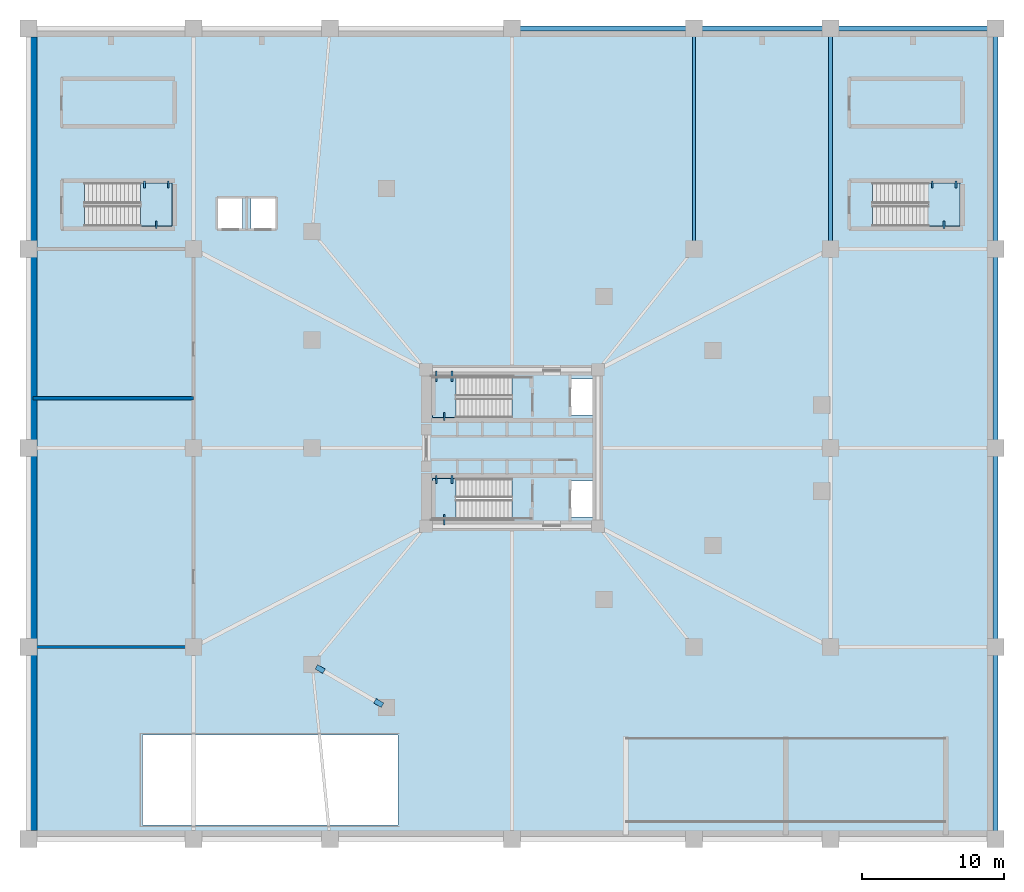
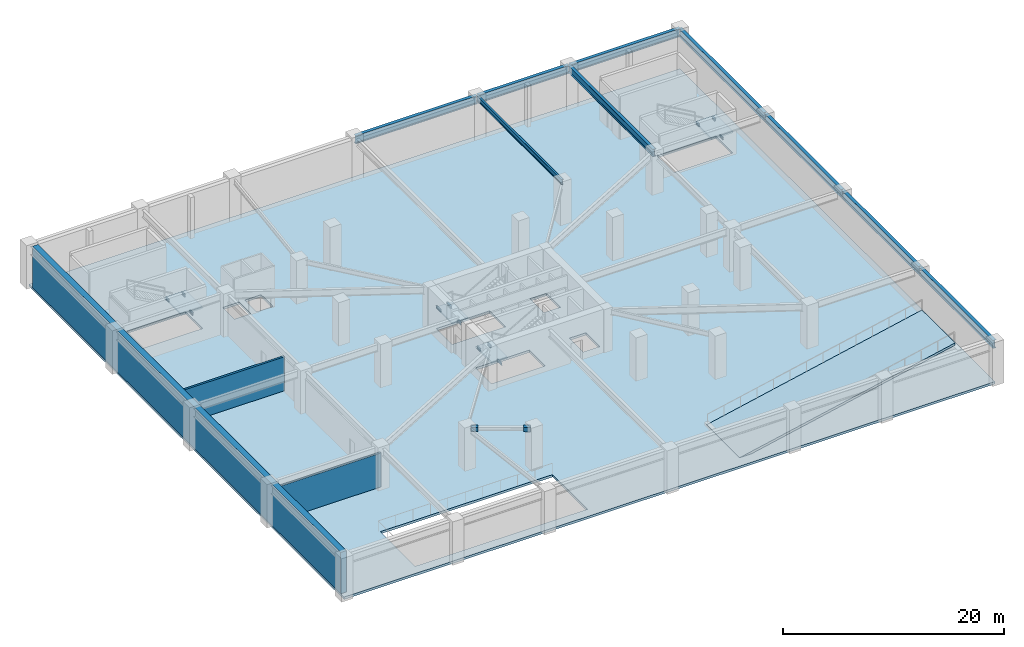
# One storey, part 2 of 13: 21 beams, 6 slabs, 3 walls, 2 plates, 4 elements without a shape of their own.
"""IFC4 building model written with IfcOpenShell, lengths in metres."""

from ifc_helpers import new_model, si_unit, direction, frame, frame_2d, origin, origin_2d, place, context, subcontext, project, spatial, polyline, rectangle, i_section, outline, extrude, source, transform, mapped, material, layer, layer_set, material_profile, profile_set, type_object, element, aggregate, save


model = new_model("IFC4")

# Units and contexts
model_context = context("Model", 3, precision=1e-05, world=origin(), true_north=direction((0.0, 1.0)))
body_context = subcontext(model_context, "Body", "Model", "MODEL_VIEW")
ifc_project = project(units=[si_unit("LENGTHUNIT", "METRE"), si_unit("AREAUNIT", "SQUARE_METRE"), si_unit("VOLUMEUNIT", "CUBIC_METRE"), si_unit("PLANEANGLEUNIT", "RADIAN"), si_unit("MASSUNIT", "GRAM", prefix="KILO")], contexts=[model_context])

# Site, building, storey
site_placement = place(None, origin())
site = spatial("IfcSite", under=ifc_project, at=site_placement, CompositionType="ELEMENT")
building_placement = place(site_placement, origin())
building = spatial("IfcBuilding", under=site, at=building_placement, Name="Yunling Apex Tower", CompositionType="ELEMENT")
storey_placement = place(building_placement, frame((0.0, 0.0, -4.800048828125)))
storey = spatial("IfcBuildingStorey", under=building, at=storey_placement, Name="B01", CompositionType="ELEMENT", Elevation=-4.800048828125)

# Beams
ifc_material_1 = material(Name="Steel Q355B", Category="steel")
ifc_material_profile_1 = material_profile(ifc_material_1, i_section(OverallWidth=0.125, OverallDepth=0.25, WebThickness=0.006103515625, FlangeThickness=0.009033203125, FilletRadius=0.011962890625, at=origin_2d()))
ifc_profile_set_1 = profile_set([ifc_material_profile_1], Name="Steel Q355B")
beam_type_1 = type_object("IfcBeamType", Name="BL-LNT-1", PredefinedType="LINTEL", material=ifc_profile_set_1)
shared_shape_1 = source(origin(), body_context, "Body", "SweptSolid", [
    extrude(i_section(OverallWidth=0.125, OverallDepth=0.25, WebThickness=0.006103515625, FlangeThickness=0.009033203125, FilletRadius=0.011962890625, at=origin_2d()), origin(), (0.0, 0.0, 1.0), 0.760009765625),
])
for number, where, z_axis, x_axis, name in (
    (1, (-5.320068359375, 5.419921875, 2.080078125), (0.0, -1.0, 0.0), (1.0, 0.0, 0.0), "B01 ST-1 Landing Bearing Corbel 1-1"),
    (2, (-4.2099609375, 5.419921875, 2.080078125), (0.0, -1.0, 0.0), (1.0, 0.0, 0.0), "B01 ST-1 Landing Bearing Corbel 1-2"),
    (3, (-4.764892578125, -5.419921875, 2.080078125), (0.0, 1.0, 0.0), (-1.0, 0.0, 0.0), "B01 ST-2 Landing Bearing Corbel 1-3"),
):
    element("IfcBeam", number, at=place(storey_placement, frame(where, z_axis=z_axis, x_axis=x_axis)), inside=storey, type_object=beam_type_1, Name=name, PredefinedType="LINTEL", context=body_context, shape_type="MappedRepresentation", body=[
        mapped(shared_shape_1, transform((0.0, 0.0, 0.0), scale=1.0)),
    ])
shared_shape_2 = source(origin(), body_context, "Body", "SweptSolid", [
    extrude(i_section(OverallWidth=0.125, OverallDepth=0.25, WebThickness=0.006103515625, FlangeThickness=0.009033203125, FilletRadius=0.011962890625, at=origin_2d()), origin(), (0.0, 0.0, 1.0), 0.550048828125),
])
for number, where, z_axis, x_axis, name in (
    (4, (-4.764892578125, 1.93994140625, 2.080078125), (0.0, 1.0, 0.0), (-1.0, 0.0, 0.0), "B01 ST-1 Landing Bearing Corbel 1-3"),
    (5, (-5.320068359375, -1.93994140625, 2.080078125), (0.0, -1.0, 0.0), (1.0, 0.0, 0.0), "B01 ST-2 Landing Bearing Corbel 1-1"),
    (6, (-4.2099609375, -1.93994140625, 2.080078125), (0.0, -1.0, 0.0), (1.0, 0.0, 0.0), "B01 ST-2 Landing Bearing Corbel 1-2"),
):
    element("IfcBeam", number, at=place(storey_placement, frame(where, z_axis=z_axis, x_axis=x_axis)), inside=storey, type_object=beam_type_1, Name=name, PredefinedType="LINTEL", context=body_context, shape_type="MappedRepresentation", body=[
        mapped(shared_shape_2, transform((0.0, 0.0, 0.0), scale=1.0)),
    ])
shared_shape_3 = source(origin(), body_context, "Body", "SweptSolid", [
    extrude(i_section(OverallWidth=0.125, OverallDepth=0.25, WebThickness=0.006103515625, FlangeThickness=0.009033203125, FilletRadius=0.011962890625, at=origin_2d()), origin(), (0.0, 0.0, 1.0), 0.47998046875),
])
for number, where, z_axis, x_axis, name in (
    (7, (-25.85009765625, 18.780029296875, 2.080078125), (0.0, -1.0, 0.0), (1.0, 0.0, 0.0), "B01 ST-P1 Landing Bearing Corbel 1-1"),
    (8, (-24.179931640625, 18.780029296875, 2.080078125), (0.0, -1.0, 0.0), (1.0, 0.0, 0.0), "B01 ST-P1 Landing Bearing Corbel 1-2"),
    (9, (29.550048828125, 18.780029296875, 2.080078125), (0.0, -1.0, 0.0), (1.0, 0.0, 0.0), "B01 ST-P2 Landing Bearing Corbel 1-1"),
    (10, (31.219970703125, 18.780029296875, 2.080078125), (0.0, -1.0, 0.0), (1.0, 0.0, 0.0), "B01 ST-P2 Landing Bearing Corbel 1-2"),
):
    element("IfcBeam", number, at=place(storey_placement, frame(where, z_axis=z_axis, x_axis=x_axis)), inside=storey, type_object=beam_type_1, Name=name, PredefinedType="LINTEL", context=body_context, shape_type="MappedRepresentation", body=[
        mapped(shared_shape_3, transform((0.0, 0.0, 0.0), scale=1.0)),
    ])
shared_shape_4 = source(origin(), body_context, "Body", "SweptSolid", [
    extrude(i_section(OverallWidth=0.125, OverallDepth=0.25, WebThickness=0.006103515625, FlangeThickness=0.009033203125, FilletRadius=0.011962890625, at=origin_2d()), origin(), (0.0, 0.0, 1.0), 0.530029296875),
])
for number, where, z_axis, x_axis, name in (
    (11, (-25.014892578125, 15.419921875, 2.080078125), (0.0, 1.0, 0.0), (-1.0, 0.0, 0.0), "B01 ST-P1 Landing Bearing Corbel 1-3"),
    (12, (30.385009765625, 15.419921875, 2.080078125), (0.0, 1.0, 0.0), (-1.0, 0.0, 0.0), "B01 ST-P2 Landing Bearing Corbel 1-3"),
):
    element("IfcBeam", number, at=place(storey_placement, frame(where, z_axis=z_axis, x_axis=x_axis)), inside=storey, type_object=beam_type_1, Name=name, PredefinedType="LINTEL", context=body_context, shape_type="MappedRepresentation", body=[
        mapped(shared_shape_4, transform((0.0, 0.0, 0.0), scale=1.0)),
    ])
ifc_material_profile_2 = material_profile(ifc_material_1, i_section(OverallWidth=0.35009765625, OverallDepth=0.89990234375, WebThickness=0.01806640625, FlangeThickness=0.028076171875, FilletRadius=0.02392578125, at=origin_2d()))
ifc_profile_set_2 = profile_set([ifc_material_profile_2], Name="Steel Q355B")
beam_type_2 = type_object("IfcBeamType", Name="BG-PRI-1", PredefinedType="USERDEFINED", material=ifc_profile_set_2)
shared_shape_5 = source(origin(), body_context, "Body", "SweptSolid", [
    extrude(i_section(OverallWidth=0.35009765625, OverallDepth=0.89990234375, WebThickness=0.01806640625, FlangeThickness=0.028076171875, FilletRadius=0.02392578125, at=origin_2d()), origin(), (0.0, 0.0, 1.0), 11.52001953125),
])
beam_1_placement = place(storey_placement, frame((22.43994140625, 29.5, 4.110107421875), z_axis=(1.0, 0.0, 0.0), x_axis=(0.0, 1.0, 0.0)))
element("IfcBeam", 13, at=beam_1_placement, inside=storey, type_object=beam_type_2, Name="B01 Podium Edge Girder 12", ObjectType="GIRDER", PredefinedType="USERDEFINED", context=body_context, shape_type="MappedRepresentation", body=[
    mapped(shared_shape_5, transform((0.0, 0.0, 0.0), scale=1.0)),
])
shared_shape_6 = source(origin(), body_context, "Body", "SweptSolid", [
    extrude(i_section(OverallWidth=0.35009765625, OverallDepth=0.89990234375, WebThickness=0.01806640625, FlangeThickness=0.028076171875, FilletRadius=0.02392578125, at=origin_2d()), origin(), (0.0, 0.0, 1.0), 9.52001953125),
])
beam_2_placement = place(storey_placement, frame((12.840087890625, 29.5, 4.110107421875), z_axis=(1.0, 0.0, 0.0), x_axis=(0.0, 1.0, 0.0)))
element("IfcBeam", 14, at=beam_2_placement, inside=storey, type_object=beam_type_2, Name="B01 Podium Edge Girder 11", ObjectType="GIRDER", PredefinedType="USERDEFINED", context=body_context, shape_type="MappedRepresentation", body=[
    mapped(shared_shape_6, transform((0.0, 0.0, 0.0), scale=1.0)),
])
shared_shape_7 = source(origin(), body_context, "Body", "SweptSolid", [
    extrude(i_section(OverallWidth=0.35009765625, OverallDepth=0.89990234375, WebThickness=0.01806640625, FlangeThickness=0.028076171875, FilletRadius=0.02392578125, at=origin_2d()), origin(), (0.0, 0.0, 1.0), 12.719970703125),
])
beam_3_placement = place(storey_placement, frame((0.0400390625, 29.5, 4.110107421875), z_axis=(1.0, 0.0, 0.0), x_axis=(0.0, 1.0, 0.0)))
element("IfcBeam", 15, at=beam_3_placement, inside=storey, type_object=beam_type_2, Name="B01 Podium Edge Girder 10", ObjectType="GIRDER", PredefinedType="USERDEFINED", context=body_context, shape_type="MappedRepresentation", body=[
    mapped(shared_shape_7, transform((0.0, 0.0, 0.0), scale=1.0)),
])
shared_shape_8 = source(origin(), body_context, "Body", "SweptSolid", [
    extrude(i_section(OverallWidth=0.35009765625, OverallDepth=0.89990234375, WebThickness=0.01806640625, FlangeThickness=0.028076171875, FilletRadius=0.02392578125, at=origin_2d()), origin(), (0.0, 0.0, 1.0), 13.419921875),
])
beam_4_placement = place(storey_placement, frame((34.0, -27.4599609375, 4.110107421875), z_axis=(0.0, 1.0, 0.0), x_axis=(-1.0, 0.0, 0.0)))
element("IfcBeam", 16, at=beam_4_placement, inside=storey, type_object=beam_type_2, Name="B01 Podium Side Girder 17", ObjectType="GIRDER", PredefinedType="USERDEFINED", context=body_context, shape_type="MappedRepresentation", body=[
    mapped(shared_shape_8, transform((0.0, 0.0, 0.0), scale=1.0)),
])
shared_shape_9 = source(origin(), body_context, "Body", "SweptSolid", [
    extrude(i_section(OverallWidth=0.35009765625, OverallDepth=0.89990234375, WebThickness=0.01806640625, FlangeThickness=0.028076171875, FilletRadius=0.02392578125, at=origin_2d()), origin(), (0.0, 0.0, 1.0), 13.919921875),
])
for number, where, z_axis, x_axis, name in (
    (17, (34.0, -13.9599609375, 4.110107421875), (0.0, 1.0, 0.0), (-1.0, 0.0, 0.0), "B01 Podium Side Girder 18"),
    (18, (34.0, 0.0400390625, 4.110107421875), (0.0, 1.0, 0.0), (-1.0, 0.0, 0.0), "B01 Podium Side Girder 19"),
):
    element("IfcBeam", number, at=place(storey_placement, frame(where, z_axis=z_axis, x_axis=x_axis)), inside=storey, type_object=beam_type_2, Name=name, ObjectType="GIRDER", PredefinedType="USERDEFINED", context=body_context, shape_type="MappedRepresentation", body=[
        mapped(shared_shape_9, transform((0.0, 0.0, 0.0), scale=1.0)),
    ])
shared_shape_10 = source(origin(), body_context, "Body", "SweptSolid", [
    extrude(i_section(OverallWidth=0.35009765625, OverallDepth=0.89990234375, WebThickness=0.01806640625, FlangeThickness=0.028076171875, FilletRadius=0.02392578125, at=origin_2d()), origin(), (0.0, 0.0, 1.0), 15.419921875),
])
beam_5_placement = place(storey_placement, frame((34.0, 14.0400390625, 4.110107421875), z_axis=(0.0, 1.0, 0.0), x_axis=(-1.0, 0.0, 0.0)))
element("IfcBeam", 19, at=beam_5_placement, inside=storey, type_object=beam_type_2, Name="B01 Podium Side Girder 20", ObjectType="GIRDER", PredefinedType="USERDEFINED", context=body_context, shape_type="MappedRepresentation", body=[
    mapped(shared_shape_10, transform((0.0, 0.0, 0.0), scale=1.0)),
])
ifc_material_profile_3 = material_profile(ifc_material_1, i_section(OverallWidth=0.300048828125, OverallDepth=0.800048828125, WebThickness=0.013916015625, FlangeThickness=0.02587890625, FilletRadius=0.028076171875, at=origin_2d()))
ifc_profile_set_3 = profile_set([ifc_material_profile_3], Name="Steel Q355B")
beam_type_3 = type_object("IfcBeamType", Name="BG-PRI-2", PredefinedType="USERDEFINED", material=ifc_profile_set_3)
shared_shape_11 = source(origin(), body_context, "Body", "SweptSolid", [
    extrude(i_section(OverallWidth=0.300048828125, OverallDepth=0.800048828125, WebThickness=0.013916015625, FlangeThickness=0.02587890625, FilletRadius=0.028076171875, at=origin_2d()), origin(), (0.0, 0.0, 1.0), 15.419921875),
])
beam_6_placement = place(storey_placement, frame((22.39990234375, 29.4599609375, 4.16015625), z_axis=(0.0, -1.0, 0.0), x_axis=(1.0, 0.0, 0.0)))
element("IfcBeam", 20, at=beam_6_placement, inside=storey, type_object=beam_type_3, Name="B01 Podium Primary Girder 17", ObjectType="GIRDER", PredefinedType="USERDEFINED", context=body_context, shape_type="MappedRepresentation", body=[
    mapped(shared_shape_11, transform((0.0, 0.0, 0.0), scale=1.0)),
])
ifc_material_profile_4 = material_profile(ifc_material_1, i_section(OverallWidth=0.199951171875, OverallDepth=0.550048828125, WebThickness=0.010009765625, FlangeThickness=0.01611328125, FilletRadius=0.02001953125, at=origin_2d()))
ifc_profile_set_4 = profile_set([ifc_material_profile_4], Name="Steel Q355B")
beam_type_4 = type_object("IfcBeamType", Name="BS-SEC-1", PredefinedType="BEAM", material=ifc_profile_set_4)
shared_shape_12 = source(origin(), body_context, "Body", "SweptSolid", [
    extrude(i_section(OverallWidth=0.199951171875, OverallDepth=0.550048828125, WebThickness=0.010009765625, FlangeThickness=0.01611328125, FilletRadius=0.02001953125, at=origin_2d()), origin(), (0.0, 0.0, 1.0), 15.419921875),
])
beam_7_placement = place(storey_placement, frame((12.800048828125, 29.4599609375, 4.28515625), z_axis=(0.0, -1.0, 0.0), x_axis=(1.0, 0.0, 0.0)))
element("IfcBeam", 21, at=beam_7_placement, inside=storey, type_object=beam_type_4, Name="B01 Podium Secondary Beam 3", PredefinedType="BEAM", context=body_context, shape_type="MappedRepresentation", body=[
    mapped(shared_shape_12, transform((0.0, 0.0, 0.0), scale=1.0)),
])

# Slab
ifc_material_2 = material(Name="Concrete C40", Category="concrete")
ifc_layer_1 = layer(ifc_material_2, 0.260009765625)
ifc_layer_set_1 = layer_set([ifc_layer_1], Name="Concrete C40")
slab_type_1 = type_object("IfcSlabType", Name="SL-BSM-2", PredefinedType="FLOOR", material=ifc_layer_set_1)
slab_1_placement = place(storey_placement, frame((0.0, 0.0, -0.260009765625)))
element("IfcSlab", 22, at=slab_1_placement, inside=storey, type_object=slab_type_1, Name="B01 Structural Floor Slab", PredefinedType="FLOOR", context=body_context, shape_type="SweptSolid", body=[
    extrude(outline(polyline([(-34.0, -27.5), (34.0, -27.5), (34.0, 29.5), (-34.0, 29.5), (-34.0, -27.5)]), holes=[polyline([(31.5, 18.64990234375), (31.5, 15.60009765625), (25.35009765625, 15.60009765625), (25.35009765625, 18.64990234375), (31.5, 18.64990234375)]), polyline([(4.090087890625, -2.320068359375), (5.81005859375, -2.320068359375), (5.81005859375, -4.840087890625), (4.090087890625, -4.840087890625), (4.090087890625, -2.320068359375)]), polyline([(4.090087890625, 4.840087890625), (5.81005859375, 4.840087890625), (5.81005859375, 2.320068359375), (4.090087890625, 2.320068359375), (4.090087890625, 4.840087890625)]), polyline([(-0.010009765625, -5.010009765625), (-5.60009765625, -5.010009765625), (-5.60009765625, -2.139892578125), (-0.010009765625, -2.139892578125), (-0.010009765625, -5.010009765625)]), polyline([(-0.010009765625, 2.139892578125), (-5.60009765625, 2.139892578125), (-5.60009765625, 5.010009765625), (-0.010009765625, 5.010009765625), (-0.010009765625, 2.139892578125)]), polyline([(-26.0, -20.199951171875), (-8.0, -20.199951171875), (-8.0, -26.5), (-26.0, -26.5), (-26.0, -20.199951171875)]), polyline([(-18.360107421875, 17.56005859375), (-16.639892578125, 17.56005859375), (-16.639892578125, 15.43994140625), (-18.360107421875, 15.43994140625), (-18.360107421875, 17.56005859375)]), polyline([(-20.659912109375, 17.56005859375), (-18.93994140625, 17.56005859375), (-18.93994140625, 15.43994140625), (-20.659912109375, 15.43994140625), (-20.659912109375, 17.56005859375)]), polyline([(-23.89990234375, 18.64990234375), (-23.89990234375, 15.60009765625), (-30.050048828125, 15.60009765625), (-30.050048828125, 18.64990234375), (-23.89990234375, 18.64990234375)])]), origin(), (0.0, 0.0, 1.0), 0.260009765625),
])

# Stair, slab
stair_type_1 = type_object("IfcStairType", Name="ST-TWR-1", PredefinedType="HALF_TURN_STAIR", material=ifc_material_2)
stair_1_placement = place(storey_placement, origin())
stair_1 = element("IfcStair", 23, at=stair_1_placement, inside=storey, type_object=stair_type_1, Name="B01 North Core Smokeproof Exit Stair ST-1", PredefinedType="HALF_TURN_STAIR")
ifc_layer_2 = layer(ifc_material_2, 0.195068359375)
ifc_layer_set_2 = layer_set([ifc_layer_2], Name="Concrete C40")
slab_type_2 = type_object("IfcSlabType", Name="SL-LND-1", PredefinedType="LANDING", material=ifc_layer_set_2)
slab_2_placement = place(storey_placement, frame((0.0, 0.0, 2.205078125)))
slab_2 = element("IfcSlab", 24, at=slab_2_placement, type_object=slab_type_2, Name="ST-1 landing 1", PredefinedType="LANDING", context=body_context, shape_type="SweptSolid", body=[
    extrude(outline(polyline([(-3.929931640625, 5.010009765625), (-5.60009765625, 5.010009765625), (-5.60009765625, 2.139892578125), (-3.929931640625, 2.139892578125), (-3.929931640625, 5.010009765625)])), origin(), (0.0, 0.0, 1.0), 0.195068359375),
])
aggregate(stair_1, [slab_2])

stair_2_placement = place(storey_placement, origin())
stair_2 = element("IfcStair", 25, at=stair_2_placement, inside=storey, type_object=stair_type_1, Name="B01 South Core Smokeproof Exit Stair ST-2", PredefinedType="HALF_TURN_STAIR")
slab_3_placement = place(storey_placement, frame((0.0, 0.0, 2.205078125)))
slab_3 = element("IfcSlab", 26, at=slab_3_placement, type_object=slab_type_2, Name="ST-2 landing 1", PredefinedType="LANDING", context=body_context, shape_type="SweptSolid", body=[
    extrude(outline(polyline([(-3.929931640625, -2.139892578125), (-5.60009765625, -2.139892578125), (-5.60009765625, -5.010009765625), (-3.929931640625, -5.010009765625), (-3.929931640625, -2.139892578125)])), origin(), (0.0, 0.0, 1.0), 0.195068359375),
])
aggregate(stair_2, [slab_3])

stair_type_2 = type_object("IfcStairType", Name="ST-POD-1", PredefinedType="HALF_TURN_STAIR", material=ifc_material_2)
stair_3_placement = place(storey_placement, origin())
stair_3 = element("IfcStair", 27, at=stair_3_placement, inside=storey, type_object=stair_type_2, Name="B01 West Podium Smokeproof Stair ST-P1", PredefinedType="HALF_TURN_STAIR")
slab_4_placement = place(storey_placement, frame((0.0, 0.0, 2.205078125)))
slab_4 = element("IfcSlab", 28, at=slab_4_placement, type_object=slab_type_2, Name="ST-P1 landing 1", PredefinedType="LANDING", context=body_context, shape_type="SweptSolid", body=[
    extrude(outline(polyline([(-26.1298828125, 15.60009765625), (-23.89990234375, 15.60009765625), (-23.89990234375, 18.64990234375), (-26.1298828125, 18.64990234375), (-26.1298828125, 15.60009765625)])), origin(), (0.0, 0.0, 1.0), 0.195068359375),
])
aggregate(stair_3, [slab_4])

stair_4_placement = place(storey_placement, origin())
stair_4 = element("IfcStair", 29, at=stair_4_placement, inside=storey, type_object=stair_type_2, Name="B01 East Podium Smokeproof Stair ST-P2", PredefinedType="HALF_TURN_STAIR")
slab_5_placement = place(storey_placement, frame((0.0, 0.0, 2.205078125)))
slab_5 = element("IfcSlab", 30, at=slab_5_placement, type_object=slab_type_2, Name="ST-P2 landing 1", PredefinedType="LANDING", context=body_context, shape_type="SweptSolid", body=[
    extrude(outline(polyline([(29.27001953125, 15.60009765625), (31.5, 15.60009765625), (31.5, 18.64990234375), (29.27001953125, 18.64990234375), (29.27001953125, 15.60009765625)])), origin(), (0.0, 0.0, 1.0), 0.195068359375),
])
aggregate(stair_4, [slab_5])

# Slab
ifc_layer_3 = layer(ifc_material_2, 0.25)
ifc_layer_set_3 = layer_set([ifc_layer_3], Name="Concrete C40")
slab_type_3 = type_object("IfcSlabType", Name="SL-VRMP-1", PredefinedType="FLOOR", material=ifc_layer_set_3)
slab_6_placement = place(storey_placement, frame((7.998046875, -26.35009765625, 0.0), z_axis=(-0.208605861862, 0.0, 0.977999792636), x_axis=(0.977999792636, 0.0, 0.208605861862)))
element("IfcSlab", 31, at=slab_6_placement, inside=storey, type_object=slab_type_3, Name="B01 to L01 Two-Way Structural Vehicle Ramp Slab", PredefinedType="FLOOR", context=body_context, shape_type="SweptSolid", body=[
    extrude(outline(polyline([(0.0, 0.0), (23.01013396877935, 0.0), (23.01013396877935, 6.0), (0.0, 6.0), (0.0, 0.0)])), origin(), (-0.208605861862, 0.0, -0.977999792636), 0.255615234375),
])

# Plates
ifc_layer_4 = layer(ifc_material_1, 0.031982421875)
ifc_layer_set_4 = layer_set([ifc_layer_4], Name="Steel Q355B")
plate_type = type_object("IfcPlateType", Name="NP-GUS-2", PredefinedType="USERDEFINED", material=ifc_layer_set_4)
shared_shape_13 = source(origin(), body_context, "Body", "SweptSolid", [
    extrude(rectangle(XDim=0.6201171875, YDim=0.360107421875, at=origin_2d()), origin(), (0.0, 0.0, 1.0), 0.47998046875),
])
for number, where, z_axis, x_axis, name in (
    (32, (-13.48779296875, -15.546142578125, 3.969970703125), (0.0, 0.0, 1.0), (0.864976307593, -0.501812701416, 0.0), "B01 Atrium Tie Strut End Gusset Plate 444"),
    (33, (-9.372314453125, -17.933837890625, 3.969970703125), (0.0, 0.0, 1.0), (0.864976307593, -0.501812701416, 0.0), "B01 Atrium Tie Strut End Gusset Plate 445"),
):
    element("IfcPlate", number, at=place(storey_placement, frame(where, z_axis=z_axis, x_axis=x_axis)), inside=storey, type_object=plate_type, Name=name, ObjectType="GUSSET_PLATE", PredefinedType="USERDEFINED", context=body_context, shape_type="MappedRepresentation", body=[
        mapped(shared_shape_13, transform((0.0, 0.0, 0.0), scale=1.0)),
    ])

# Walls
ifc_material_3 = material(Name="Concrete C50", Category="concrete")
ifc_layer_5 = layer(ifc_material_3, 0.60009765625)
ifc_layer_set_5 = layer_set([ifc_layer_5], Name="Concrete C50")
wall_type_1 = type_object("IfcWallType", Name="WL-BSM-2", PredefinedType="USERDEFINED", material=ifc_layer_set_5)
wall_placement = place(storey_placement, frame((-33.699951171875, -26.89990234375, 0.0), z_axis=(0.0, 0.0, 1.0), x_axis=(0.0, 1.0, 0.0)))
element("IfcWall", 34, at=wall_placement, inside=storey, type_object=wall_type_1, Name="B01 West Retaining Wall", ObjectType="RETAININGWALL", PredefinedType="USERDEFINED", context=body_context, shape_type="SweptSolid", body=[
    extrude(rectangle(XDim=55.7998046875, YDim=0.60009765625, at=frame_2d((27.89990234375, 0.0))), origin(), (0.0, 0.0, 1.0), 4.56005859375),
])
ifc_material_4 = material(Name="Autoclaved aerated concrete masonry", Category="masonry")
ifc_layer_6 = layer(ifc_material_4, 0.219970703125)
ifc_layer_set_6 = layer_set([ifc_layer_6], Name="Autoclaved aerated concrete masonry")
wall_type_2 = type_object("IfcWallType", Name="WL-SHF-1", PredefinedType="PLUMBINGWALL", material=ifc_layer_set_6)
for number, where, z_axis, x_axis, name in (
    (35, (-33.699951171875, -14.0, 0.0), (0.0, 0.0, 1.0), (1.0, 0.0, 0.0), "WL-BMEP-S-B01"),
    (36, (-33.699951171875, 3.5, 0.0), (0.0, 0.0, 1.0), (1.0, 0.0, 0.0), "WL-BMEP-M-B01"),
):
    element("IfcWall", number, at=place(storey_placement, frame(where, z_axis=z_axis, x_axis=x_axis)), inside=storey, type_object=wall_type_2, Name=name, PredefinedType="PLUMBINGWALL", context=body_context, shape_type="SweptSolid", body=[
        extrude(rectangle(XDim=11.300048828125, YDim=0.219970703125, at=frame_2d((5.64990234375, 0.0))), origin(), (0.0, 0.0, 1.0), 3.7451171875),
    ])

save(model, "model.ifc")
